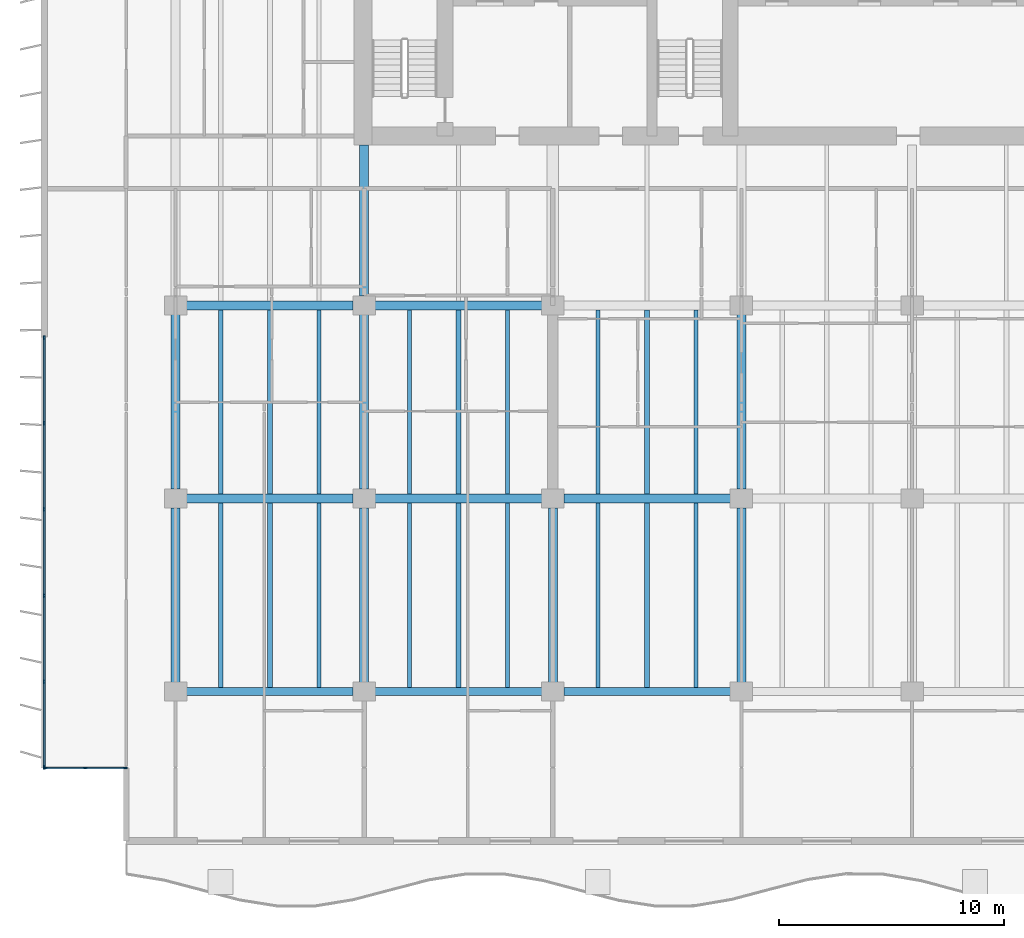
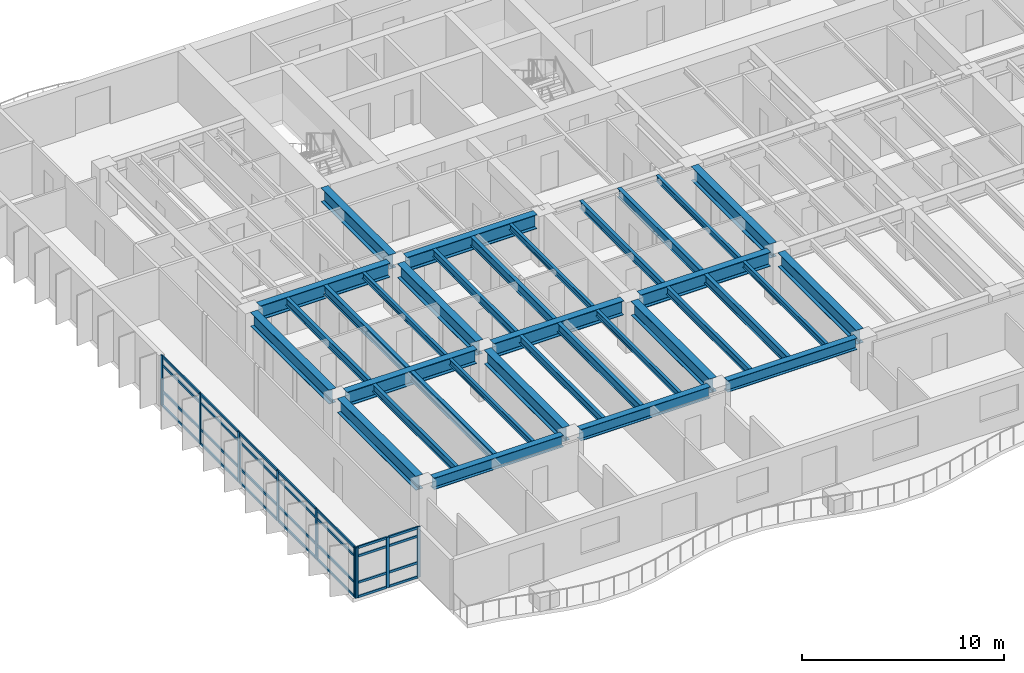
# One storey, part 2 of 17: 37 members, 34 beams, 2 elements without a shape of their own.
"""IFC4 building model written with IfcOpenShell, lengths in metres."""

import ifcopenshell
import ifcopenshell.guid

model = None  # the IFC model being written
_history = None  # IfcOwnerHistory: only IFC2X3 demands one
_inside = {}  # id of a spatial element -> (the spatial element, [elements in it])
_under = {}  # id of a project, library or spatial element -> (it, [spatial elements below it])
_declared = {}  # id of a project -> (the project, [libraries it declares])
_typed = {}  # id of a type object -> (the type object, [elements of that type])
_made_of = {}  # id of a material, layer set ... -> (it, [elements and type objects made of it])


def new_model(schema):
    """Start an empty IFC model of exactly this schema.

    Asked for "IFC4X3", IfcOpenShell would pick the latest addendum, in which some entities
    have other attributes; the version numbers below select the first issue.
    IFC2X3 requires an IfcOwnerHistory on every rooted entity: one is made here for all.
    """
    global model, _history
    if schema == "IFC4X3":
        model = ifcopenshell.file(schema_version=(4, 3, 0, 0))
    else:
        model = ifcopenshell.file(schema=schema)
    _inside.clear()
    _under.clear()
    _declared.clear()
    _typed.clear()
    _made_of.clear()
    _history = None
    if model.schema == "IFC2X3":
        org = make("IfcOrganization", Name="unknown")
        user = make(
            "IfcPersonAndOrganization",
            ThePerson=make("IfcPerson", FamilyName="unknown"),
            TheOrganization=org,
        )
        app = make(
            "IfcApplication",
            ApplicationDeveloper=org,
            Version="unknown",
            ApplicationFullName="unknown",
            ApplicationIdentifier="unknown",
        )
        _history = make(
            "IfcOwnerHistory",
            OwningUser=user,
            OwningApplication=app,
            ChangeAction="ADDED",
            CreationDate=0,
        )
    return model


def make(cls, **values):
    """One entity of the class cls with the attributes given. An attribute that is None is left unset."""
    return model.create_entity(
        cls, **{name: value for name, value in values.items() if value is not None}
    )


def rooted(cls, **values):
    """An entity with a GlobalId (a new one), such as an element, a storey or a relation."""
    return make(cls, GlobalId=ifcopenshell.guid.new(), OwnerHistory=_history, **values)


def si_unit(unit_type, name, prefix=None):
    """IfcSIUnit, for example si_unit("LENGTHUNIT", "METRE", prefix="MILLI")."""
    return make("IfcSIUnit", UnitType=unit_type, Prefix=prefix, Name=name)


def assignment(units):
    """IfcUnitAssignment: the units of a project."""
    return None if units is None else make("IfcUnitAssignment", Units=units)


def point(xyz):
    """IfcCartesianPoint."""
    return None if xyz is None else make("IfcCartesianPoint", Coordinates=xyz)


def direction(xyz):
    """IfcDirection."""
    return None if xyz is None else make("IfcDirection", DirectionRatios=xyz)


def frame(location, z_axis=None, x_axis=None):
    """IfcAxis2Placement3D, a coordinate frame: its origin and axes. An axis left out is left unset."""
    return make(
        "IfcAxis2Placement3D",
        Location=point(location),
        Axis=direction(z_axis),
        RefDirection=direction(x_axis),
    )


def frame_2d(location, x_axis=None):
    """IfcAxis2Placement2D, a coordinate frame in the plane: its origin and x axis."""
    return make(
        "IfcAxis2Placement2D", Location=point(location), RefDirection=direction(x_axis)
    )


def origin():
    """The frame at (0, 0, 0) with its axes left unset."""
    return frame((0.0, 0.0, 0.0))


def origin_2d():
    """The frame at (0, 0) in the plane with its x axis left unset."""
    return frame_2d((0.0, 0.0))


def place(relative_to, where):
    """IfcLocalPlacement: puts the frame where relative to a parent placement (None: the world)."""
    return make(
        "IfcLocalPlacement", PlacementRelTo=relative_to, RelativePlacement=where
    )


def context(
    kind, dimensions, precision=None, world=None, true_north=None, identifier=None
):
    """IfcGeometricRepresentationContext, for example the 3D "Model" context."""
    return make(
        "IfcGeometricRepresentationContext",
        ContextIdentifier=identifier,
        ContextType=kind,
        CoordinateSpaceDimension=dimensions,
        Precision=precision,
        WorldCoordinateSystem=world,
        TrueNorth=true_north,
    )


def subcontext(parent, identifier, kind, view, scale=None):
    """IfcGeometricRepresentationSubContext, for example "Body" below "Model"."""
    return make(
        "IfcGeometricRepresentationSubContext",
        ContextIdentifier=identifier,
        ContextType=kind,
        ParentContext=parent,
        TargetScale=scale,
        TargetView=view,
    )


def project(units=None, contexts=None):
    """IfcProject with its units and contexts."""
    return rooted(
        "IfcProject",
        Name="project",
        RepresentationContexts=contexts,
        UnitsInContext=assignment(units),
    )


def spatial(cls, under=None, at=None, **own):
    """A site, building, storey or space (cls), placed at a placement, below another one or the project."""
    s = rooted(cls, ObjectPlacement=at, **own)
    if under is not None:
        _under.setdefault(under.id(), (under, []))[1].append(s)
    return s


def profile(cls, at=None, kind="AREA", **sizes):
    """A parametric profile (cls). Its sizes go by their IFC names, for example OverallWidth=200.0."""
    return make(cls, ProfileType=kind, Position=at, **sizes)


def rectangle(**sizes):
    """IfcRectangleProfileDef."""
    return profile("IfcRectangleProfileDef", **sizes)


def i_section(**sizes):
    """IfcIShapeProfileDef."""
    return profile("IfcIShapeProfileDef", **sizes)


def extrude(swept, where, along, depth):
    """IfcExtrudedAreaSolid: the profile swept, set in the frame where, extruded along a direction by depth."""
    return make(
        "IfcExtrudedAreaSolid",
        SweptArea=swept,
        Position=where,
        ExtrudedDirection=direction(along),
        Depth=depth,
    )


def shape(context_of_items, identifier, shape_type, items):
    """IfcShapeRepresentation: the items that make up one representation, for example the "Body"."""
    return make(
        "IfcShapeRepresentation",
        ContextOfItems=context_of_items,
        RepresentationIdentifier=identifier,
        RepresentationType=shape_type,
        Items=items,
    )


def material(Name=None, Category=None):
    """IfcMaterial."""
    return make("IfcMaterial", Name=Name, Category=Category)


def layer(
    of_material, thickness, ventilated=None, Name=None, Category=None, Priority=None
):
    """IfcMaterialLayer: one layer of a wall or slab, of a material (None: an air gap)."""
    return make(
        "IfcMaterialLayer",
        Material=of_material,
        LayerThickness=thickness,
        IsVentilated=ventilated,
        Name=Name,
        Category=Category,
        Priority=Priority,
    )


def layer_set(layers, Name=None):
    """IfcMaterialLayerSet."""
    return make("IfcMaterialLayerSet", MaterialLayers=layers, LayerSetName=Name)


def material_profile(
    of_material, cross_section, Name=None, Category=None, Priority=None
):
    """IfcMaterialProfile: a cross section and its material."""
    return make(
        "IfcMaterialProfile",
        Name=Name,
        Material=of_material,
        Profile=cross_section,
        Priority=Priority,
        Category=Category,
    )


def profile_set(profiles, Name=None, composite=None):
    """IfcMaterialProfileSet."""
    return make(
        "IfcMaterialProfileSet",
        Name=Name,
        MaterialProfiles=profiles,
        CompositeProfile=composite,
    )


def made_of(thing, what):
    """Note that an element or type object is made of a material, layer set ...; save() writes the relation."""
    if what is not None:
        _made_of.setdefault(what.id(), (what, []))[1].append(thing)
    return thing


def type_object(cls, material=None, **own):
    """A type object (cls), such as IfcWallType, which elements share."""
    return made_of(rooted(cls, **own), material)


def element(
    cls,
    number,
    at=None,
    inside=None,
    cuts=None,
    type_object=None,
    material=None,
    context=None,
    identifier="Body",
    shape_type=None,
    held_by="IfcProductDefinitionShape",
    body=None,
    shapes=None,
    **own,
):
    """One element of the class cls, such as IfcWall. Its Tag is "e" and its number.

    at: its placement. inside: the storey or other place that contains it. cuts: it is an
    opening in that element (IfcRelVoidsElement). A single representation is given by context,
    identifier, shape_type and body (its items); several are given by shapes. held_by: the class
    of the entity that holds the representations. save() writes the other relations.
    """
    e = rooted(cls, Tag="e%d" % number, ObjectPlacement=at, **own)
    if body is not None:
        shapes = [shape(context, identifier, shape_type, body)]
    if shapes is not None:
        e.Representation = make(held_by, Representations=shapes)
    if inside is not None:
        _inside.setdefault(inside.id(), (inside, []))[1].append(e)
    if cuts is not None:
        rooted(
            "IfcRelVoidsElement", RelatingBuildingElement=cuts, RelatedOpeningElement=e
        )
    if type_object is not None:
        _typed.setdefault(type_object.id(), (type_object, []))[1].append(e)
    return made_of(e, material)


def aggregate(whole, parts):
    """IfcRelAggregates: a whole, such as a stair, and the parts it consists of."""
    return rooted("IfcRelAggregates", RelatingObject=whole, RelatedObjects=parts)


def save(model, path):
    """Write the relations noted so far, then the file.

    IfcRelAggregates (storeys below a building ...), IfcRelContainedInSpatialStructure (elements
    in a storey), IfcRelDefinesByType, IfcRelAssociatesMaterial and IfcRelDeclares: one each for
    every whole, place, type object, material and project.
    """
    for whole, parts in _under.values():
        aggregate(whole, parts)
    for where, things in _inside.values():
        rooted(
            "IfcRelContainedInSpatialStructure",
            RelatedElements=things,
            RelatingStructure=where,
        )
    for kind, things in _typed.values():
        rooted("IfcRelDefinesByType", RelatedObjects=things, RelatingType=kind)
    for what, things in _made_of.values():
        rooted("IfcRelAssociatesMaterial", RelatedObjects=things, RelatingMaterial=what)
    for by, libraries in _declared.values():
        rooted("IfcRelDeclares", RelatingContext=by, RelatedDefinitions=libraries)
    model.write(path)


model = new_model("IFC4")

# Units and contexts
model_context = context("Model", 3, precision=1e-05, world=origin(), true_north=direction((0.0, 1.0)))
body_context = subcontext(model_context, "Body", "Model", "MODEL_VIEW")
ifc_project = project(units=[si_unit("LENGTHUNIT", "METRE"), si_unit("AREAUNIT", "SQUARE_METRE"), si_unit("VOLUMEUNIT", "CUBIC_METRE"), si_unit("PLANEANGLEUNIT", "RADIAN"), si_unit("MASSUNIT", "GRAM", prefix="KILO")], contexts=[model_context])

# Site, building, storey
site_placement = place(None, origin())
site = spatial("IfcSite", under=ifc_project, at=site_placement, CompositionType="ELEMENT")
building_placement = place(site_placement, origin())
building = spatial("IfcBuilding", under=site, at=building_placement, Name="Caelmar Bay Residences", CompositionType="ELEMENT")
storey_placement = place(building_placement, frame((0.0, 0.0, 109.199951171875)))
storey = spatial("IfcBuildingStorey", under=building, at=storey_placement, Name="L29", CompositionType="ELEMENT", Elevation=109.199951171875)

# Beams
ifc_material_1 = material(Name="Steel ASTM A992 Grade 50", Category="steel")
ifc_material_profile_1 = material_profile(ifc_material_1, i_section(OverallWidth=0.40087890625, OverallDepth=0.861083984375, WebThickness=0.019775390625, FlangeThickness=0.032470703125, FilletRadius=0.017822265625, at=origin_2d()), Name="W33X221")
ifc_profile_set_1 = profile_set([ifc_material_profile_1], Name="Steel ASTM A992 Grade 50")
beam_type_1 = type_object("IfcBeamType", Name="BM-GRD-W33X221", PredefinedType="BEAM", material=ifc_profile_set_1)
beam_1_placement = place(storey_placement, frame((10.389892578125, 20.800048828125, 2.61962890625), z_axis=(1.0, 0.0, 0.0), x_axis=(0.0, 1.0, 0.0)))
element("IfcBeam", 1, at=beam_1_placement, inside=storey, type_object=beam_type_1, Name="L29 East-West Girder Y=20.80 (9.9-18.3)", PredefinedType="BEAM", context=body_context, shape_type="SweptSolid", body=[
    extrude(i_section(OverallWidth=0.40087890625, OverallDepth=0.861083984375, WebThickness=0.019775390625, FlangeThickness=0.032470703125, FilletRadius=0.017822265625, at=origin_2d()), origin(), (0.0, 0.0, 1.0), 7.420166015625),
])
beam_2_placement = place(storey_placement, frame((18.7900390625, 20.800048828125, 2.61962890625), z_axis=(1.0, 0.0, 0.0), x_axis=(0.0, 1.0, 0.0)))
element("IfcBeam", 2, at=beam_2_placement, inside=storey, type_object=beam_type_1, Name="L29 East-West Girder Y=20.80 (18.3-26.7)", PredefinedType="BEAM", context=body_context, shape_type="SweptSolid", body=[
    extrude(i_section(OverallWidth=0.40087890625, OverallDepth=0.861083984375, WebThickness=0.019775390625, FlangeThickness=0.032470703125, FilletRadius=0.017822265625, at=origin_2d()), origin(), (0.0, 0.0, 1.0), 7.419921875),
])
for number, where, z_axis, x_axis, name in (
    (3, (27.18994140625, 20.800048828125, 2.61962890625), (1.0, 0.0, 0.0), (0.0, 1.0, 0.0), "L29 East-West Girder Y=20.80 (26.7-35.1)"),
    (4, (10.389892578125, 29.39990234375, 2.61962890625), (1.0, 0.0, 0.0), (0.0, 1.0, 0.0), "L29 East-West Girder Y=29.40 (9.9-18.3)"),
):
    element("IfcBeam", number, at=place(storey_placement, frame(where, z_axis=z_axis, x_axis=x_axis)), inside=storey, type_object=beam_type_1, Name=name, PredefinedType="BEAM", context=body_context, shape_type="SweptSolid", body=[
        extrude(i_section(OverallWidth=0.40087890625, OverallDepth=0.861083984375, WebThickness=0.019775390625, FlangeThickness=0.032470703125, FilletRadius=0.017822265625, at=origin_2d()), origin(), (0.0, 0.0, 1.0), 7.420166015625),
    ])
beam_3_placement = place(storey_placement, frame((18.7900390625, 29.39990234375, 2.61962890625), z_axis=(1.0, 0.0, 0.0), x_axis=(0.0, 1.0, 0.0)))
element("IfcBeam", 5, at=beam_3_placement, inside=storey, type_object=beam_type_1, Name="L29 East-West Girder Y=29.40 (18.3-26.7)", PredefinedType="BEAM", context=body_context, shape_type="SweptSolid", body=[
    extrude(i_section(OverallWidth=0.40087890625, OverallDepth=0.861083984375, WebThickness=0.019775390625, FlangeThickness=0.032470703125, FilletRadius=0.017822265625, at=origin_2d()), origin(), (0.0, 0.0, 1.0), 7.419921875),
])
for number, where, z_axis, x_axis, name in (
    (6, (9.89990234375, 12.614990234375, 2.61962890625), (0.0, 1.0, 0.0), (-1.0, 0.0, 0.0), "L29 North-South Girder X=9.90 (12.2-20.8)"),
    (7, (9.89990234375, 21.215087890625, 2.61962890625), (0.0, 1.0, 0.0), (-1.0, 0.0, 0.0), "L29 North-South Girder X=9.90 (20.8-29.4)"),
):
    element("IfcBeam", number, at=place(storey_placement, frame(where, z_axis=z_axis, x_axis=x_axis)), inside=storey, type_object=beam_type_1, Name=name, PredefinedType="BEAM", context=body_context, shape_type="SweptSolid", body=[
        extrude(i_section(OverallWidth=0.40087890625, OverallDepth=0.861083984375, WebThickness=0.019775390625, FlangeThickness=0.032470703125, FilletRadius=0.017822265625, at=origin_2d()), origin(), (0.0, 0.0, 1.0), 7.77001953125),
    ])
beam_4_placement = place(storey_placement, frame((18.300048828125, 29.81494140625, 2.61962890625), z_axis=(0.0, 1.0, 0.0), x_axis=(-1.0, 0.0, 0.0)))
element("IfcBeam", 8, at=beam_4_placement, inside=storey, type_object=beam_type_1, Name="L29 Core Tie Girder X=18.30", PredefinedType="BEAM", context=body_context, shape_type="SweptSolid", body=[
    extrude(i_section(OverallWidth=0.40087890625, OverallDepth=0.861083984375, WebThickness=0.019775390625, FlangeThickness=0.032470703125, FilletRadius=0.017822265625, at=origin_2d()), origin(), (0.0, 0.0, 1.0), 6.735107421875),
])
for number, where, z_axis, x_axis, name in (
    (9, (18.300048828125, 12.614990234375, 2.61962890625), (0.0, 1.0, 0.0), (-1.0, 0.0, 0.0), "L29 North-South Girder X=18.30 (12.2-20.8)"),
    (10, (18.300048828125, 21.215087890625, 2.61962890625), (0.0, 1.0, 0.0), (-1.0, 0.0, 0.0), "L29 North-South Girder X=18.30 (20.8-29.4)"),
    (11, (26.699951171875, 12.614990234375, 2.61962890625), (0.0, 1.0, 0.0), (-1.0, 0.0, 0.0), "L29 North-South Girder X=26.70 (12.2-20.8)"),
    (12, (35.10009765625, 12.614990234375, 2.61962890625), (0.0, 1.0, 0.0), (-1.0, 0.0, 0.0), "L29 North-South Girder X=35.10 (12.2-20.8)"),
    (13, (35.10009765625, 21.215087890625, 2.61962890625), (0.0, 1.0, 0.0), (-1.0, 0.0, 0.0), "L29 North-South Girder X=35.10 (20.8-29.4)"),
):
    element("IfcBeam", number, at=place(storey_placement, frame(where, z_axis=z_axis, x_axis=x_axis)), inside=storey, type_object=beam_type_1, Name=name, PredefinedType="BEAM", context=body_context, shape_type="SweptSolid", body=[
        extrude(i_section(OverallWidth=0.40087890625, OverallDepth=0.861083984375, WebThickness=0.019775390625, FlangeThickness=0.032470703125, FilletRadius=0.017822265625, at=origin_2d()), origin(), (0.0, 0.0, 1.0), 7.77001953125),
    ])
ifc_material_profile_2 = material_profile(ifc_material_1, i_section(OverallWidth=0.1708984375, OverallDepth=0.35595703125, WebThickness=0.007080078125, FlangeThickness=0.01171875, FilletRadius=0.007568359375, at=origin_2d()), Name="W14X34")
ifc_profile_set_2 = profile_set([ifc_material_profile_2], Name="Steel ASTM A992 Grade 50")
beam_type_2 = type_object("IfcBeamType", Name="BM-JST-W14X34", PredefinedType="JOIST", material=ifc_profile_set_2)
for number, where, z_axis, x_axis, name in (
    (14, (16.283935546875, 12.3779296875, 2.8720703125), (0.0, 1.0, 0.0), (-1.0, 0.0, 0.0), "L29 Composite Floor Joist 3"),
    (15, (24.68408203125, 12.3779296875, 2.8720703125), (0.0, 1.0, 0.0), (-1.0, 0.0, 0.0), "L29 Composite Floor Joist 6"),
    (16, (33.083984375, 12.3779296875, 2.8720703125), (0.0, 1.0, 0.0), (-1.0, 0.0, 0.0), "L29 Composite Floor Joist 9"),
):
    element("IfcBeam", number, at=place(storey_placement, frame(where, z_axis=z_axis, x_axis=x_axis)), inside=storey, type_object=beam_type_2, Name=name, PredefinedType="JOIST", context=body_context, shape_type="SweptSolid", body=[
        extrude(i_section(OverallWidth=0.1708984375, OverallDepth=0.35595703125, WebThickness=0.007080078125, FlangeThickness=0.01171875, FilletRadius=0.007568359375, at=origin_2d()), origin(), (0.0, 0.0, 1.0), 8.2216796875),
    ])
for number, where, z_axis, x_axis, name in (
    (17, (16.283935546875, 21.00048828125, 2.8720703125), (0.0, 1.0, 0.0), (-1.0, 0.0, 0.0), "L29 Composite Floor Joist 24"),
    (18, (24.68408203125, 21.00048828125, 2.8720703125), (0.0, 1.0, 0.0), (-1.0, 0.0, 0.0), "L29 Composite Floor Joist 27"),
    (19, (33.083984375, 21.00048828125, 2.8720703125), (0.0, 1.0, 0.0), (-1.0, 0.0, 0.0), "L29 Composite Floor Joist 30"),
):
    element("IfcBeam", number, at=place(storey_placement, frame(where, z_axis=z_axis, x_axis=x_axis)), inside=storey, type_object=beam_type_2, Name=name, PredefinedType="JOIST", context=body_context, shape_type="SweptSolid", body=[
        extrude(i_section(OverallWidth=0.1708984375, OverallDepth=0.35595703125, WebThickness=0.007080078125, FlangeThickness=0.01171875, FilletRadius=0.007568359375, at=origin_2d()), origin(), (0.0, 0.0, 1.0), 8.198974609375),
    ])
ifc_material_profile_3 = material_profile(ifc_material_1, i_section(OverallWidth=0.19091796875, OverallDepth=0.45703125, WebThickness=0.009033203125, FlangeThickness=0.014404296875, FilletRadius=0.01025390625, at=origin_2d()), Name="W18X50")
ifc_profile_set_3 = profile_set([ifc_material_profile_3], Name="Steel ASTM A992 Grade 50")
beam_type_3 = type_object("IfcBeamType", Name="BM-JST-W18X50", PredefinedType="JOIST", material=ifc_profile_set_3)
for number, where, z_axis, x_axis, name in (
    (20, (11.916015625, 12.3779296875, 2.821533203125), (0.0, 1.0, 0.0), (-1.0, 0.0, 0.0), "L29 Composite Floor Joist 1"),
    (21, (20.31591796875, 12.3779296875, 2.821533203125), (0.0, 1.0, 0.0), (-1.0, 0.0, 0.0), "L29 Composite Floor Joist 4"),
    (22, (28.716064453125, 12.3779296875, 2.821533203125), (0.0, 1.0, 0.0), (-1.0, 0.0, 0.0), "L29 Composite Floor Joist 7"),
):
    element("IfcBeam", number, at=place(storey_placement, frame(where, z_axis=z_axis, x_axis=x_axis)), inside=storey, type_object=beam_type_3, Name=name, PredefinedType="JOIST", context=body_context, shape_type="SweptSolid", body=[
        extrude(i_section(OverallWidth=0.19091796875, OverallDepth=0.45703125, WebThickness=0.009033203125, FlangeThickness=0.014404296875, FilletRadius=0.01025390625, at=origin_2d()), origin(), (0.0, 0.0, 1.0), 8.2216796875),
    ])
for number, where, z_axis, x_axis, name in (
    (23, (11.916015625, 21.00048828125, 2.821533203125), (0.0, 1.0, 0.0), (-1.0, 0.0, 0.0), "L29 Composite Floor Joist 22"),
    (24, (20.31591796875, 21.00048828125, 2.821533203125), (0.0, 1.0, 0.0), (-1.0, 0.0, 0.0), "L29 Composite Floor Joist 25"),
    (25, (28.716064453125, 21.00048828125, 2.821533203125), (0.0, 1.0, 0.0), (-1.0, 0.0, 0.0), "L29 Composite Floor Joist 28"),
):
    element("IfcBeam", number, at=place(storey_placement, frame(where, z_axis=z_axis, x_axis=x_axis)), inside=storey, type_object=beam_type_3, Name=name, PredefinedType="JOIST", context=body_context, shape_type="SweptSolid", body=[
        extrude(i_section(OverallWidth=0.19091796875, OverallDepth=0.45703125, WebThickness=0.009033203125, FlangeThickness=0.014404296875, FilletRadius=0.01025390625, at=origin_2d()), origin(), (0.0, 0.0, 1.0), 8.198974609375),
    ])
ifc_material_profile_4 = material_profile(ifc_material_1, i_section(OverallWidth=0.214111328125, OverallDepth=0.549072265625, WebThickness=0.0146484375, FlangeThickness=0.023681640625, FilletRadius=0.0126953125, at=origin_2d()), Name="W21X93")
ifc_profile_set_4 = profile_set([ifc_material_profile_4], Name="Steel ASTM A992 Grade 50")
beam_type_4 = type_object("IfcBeamType", Name="BM-JST-W21X93", PredefinedType="JOIST", material=ifc_profile_set_4)
for number, where, z_axis, x_axis, name in (
    (26, (14.10009765625, 12.3779296875, 2.775634765625), (0.0, 1.0, 0.0), (-1.0, 0.0, 0.0), "L29 Composite Floor Joist 2"),
    (27, (22.5, 12.3779296875, 2.775634765625), (0.0, 1.0, 0.0), (-1.0, 0.0, 0.0), "L29 Composite Floor Joist 5"),
    (28, (30.89990234375, 12.3779296875, 2.775634765625), (0.0, 1.0, 0.0), (-1.0, 0.0, 0.0), "L29 Composite Floor Joist 8"),
):
    element("IfcBeam", number, at=place(storey_placement, frame(where, z_axis=z_axis, x_axis=x_axis)), inside=storey, type_object=beam_type_4, Name=name, PredefinedType="JOIST", context=body_context, shape_type="SweptSolid", body=[
        extrude(i_section(OverallWidth=0.214111328125, OverallDepth=0.549072265625, WebThickness=0.0146484375, FlangeThickness=0.023681640625, FilletRadius=0.0126953125, at=origin_2d()), origin(), (0.0, 0.0, 1.0), 8.2216796875),
    ])
for number, where, z_axis, x_axis, name in (
    (29, (14.10009765625, 21.00048828125, 2.775634765625), (0.0, 1.0, 0.0), (-1.0, 0.0, 0.0), "L29 Composite Floor Joist 23"),
    (30, (22.5, 21.00048828125, 2.775634765625), (0.0, 1.0, 0.0), (-1.0, 0.0, 0.0), "L29 Composite Floor Joist 26"),
    (31, (30.89990234375, 21.00048828125, 2.775634765625), (0.0, 1.0, 0.0), (-1.0, 0.0, 0.0), "L29 Composite Floor Joist 29"),
):
    element("IfcBeam", number, at=place(storey_placement, frame(where, z_axis=z_axis, x_axis=x_axis)), inside=storey, type_object=beam_type_4, Name=name, PredefinedType="JOIST", context=body_context, shape_type="SweptSolid", body=[
        extrude(i_section(OverallWidth=0.214111328125, OverallDepth=0.549072265625, WebThickness=0.0146484375, FlangeThickness=0.023681640625, FilletRadius=0.0126953125, at=origin_2d()), origin(), (0.0, 0.0, 1.0), 8.198974609375),
    ])
ifc_material_profile_5 = material_profile(ifc_material_1, i_section(OverallWidth=0.35595703125, OverallDepth=0.696044921875, WebThickness=0.015380859375, FlangeThickness=0.02490234375, FilletRadius=0.01513671875, at=origin_2d()), Name="W27X146")
ifc_profile_set_5 = profile_set([ifc_material_profile_5], Name="Steel ASTM A992 Grade 50")
beam_type_5 = type_object("IfcBeamType", Name="BM-SPN-W27X146", PredefinedType="SPANDREL", material=ifc_profile_set_5)
beam_5_placement = place(storey_placement, frame((10.389892578125, 12.199951171875, 2.7021484375), z_axis=(1.0, 0.0, 0.0), x_axis=(0.0, 1.0, 0.0)))
element("IfcBeam", 32, at=beam_5_placement, inside=storey, type_object=beam_type_5, Name="L29 East-West Girder Y=12.20 (9.9-18.3)", PredefinedType="SPANDREL", context=body_context, shape_type="SweptSolid", body=[
    extrude(i_section(OverallWidth=0.35595703125, OverallDepth=0.696044921875, WebThickness=0.015380859375, FlangeThickness=0.02490234375, FilletRadius=0.01513671875, at=origin_2d()), origin(), (0.0, 0.0, 1.0), 7.420166015625),
])
beam_6_placement = place(storey_placement, frame((18.7900390625, 12.199951171875, 2.7021484375), z_axis=(1.0, 0.0, 0.0), x_axis=(0.0, 1.0, 0.0)))
element("IfcBeam", 33, at=beam_6_placement, inside=storey, type_object=beam_type_5, Name="L29 East-West Girder Y=12.20 (18.3-26.7)", PredefinedType="SPANDREL", context=body_context, shape_type="SweptSolid", body=[
    extrude(i_section(OverallWidth=0.35595703125, OverallDepth=0.696044921875, WebThickness=0.015380859375, FlangeThickness=0.02490234375, FilletRadius=0.01513671875, at=origin_2d()), origin(), (0.0, 0.0, 1.0), 7.419921875),
])
beam_7_placement = place(storey_placement, frame((27.18994140625, 12.199951171875, 2.7021484375), z_axis=(1.0, 0.0, 0.0), x_axis=(0.0, 1.0, 0.0)))
element("IfcBeam", 34, at=beam_7_placement, inside=storey, type_object=beam_type_5, Name="L29 East-West Girder Y=12.20 (26.7-35.1)", PredefinedType="SPANDREL", context=body_context, shape_type="SweptSolid", body=[
    extrude(i_section(OverallWidth=0.35595703125, OverallDepth=0.696044921875, WebThickness=0.015380859375, FlangeThickness=0.02490234375, FilletRadius=0.01513671875, at=origin_2d()), origin(), (0.0, 0.0, 1.0), 7.420166015625),
])

# Curtain wall, members
ifc_material_2 = material(Name="Anodised bronze aluminium 6063-T6 and laminated glass", Category="aluminium")
ifc_layer_1 = layer(ifc_material_2, 0.179931640625)
ifc_layer_set_1 = layer_set([ifc_layer_1], Name="Anodised bronze aluminium 6063-T6 and laminated glass")
curtain_wall_type_1 = type_object("IfcCurtainWallType", Name="CW6-NTC", PredefinedType="NOTDEFINED", material=ifc_layer_set_1)
curtain_wall_1_placement = place(storey_placement, origin())
curtain_wall_1 = element("IfcCurtainWall", 35, at=curtain_wall_1_placement, inside=storey, type_object=curtain_wall_type_1, Name="CW6 curtain wall L29", PredefinedType="NOTDEFINED")
ifc_material_3 = material(Name="Anodised bronze aluminium 6063-T6", Category="aluminium")
ifc_material_profile_6 = material_profile(ifc_material_3, rectangle(XDim=0.080078125, YDim=0.179931640625, at=origin_2d()), Name="CWM-80X180")
ifc_profile_set_6 = profile_set([ifc_material_profile_6], Name="Anodised bronze aluminium 6063-T6")
member_type_1 = type_object("IfcMemberType", Name="CWM-180", PredefinedType="MULLION", material=ifc_profile_set_6)
member_1_placement = place(storey_placement, frame((4.090087890625, 8.800048828125, 0.0), z_axis=(0.0, 0.0, 1.0), x_axis=(0.0, 1.0, 0.0)))
member_1 = element("IfcMember", 36, at=member_1_placement, type_object=member_type_1, Name="CW6 mullion 1", PredefinedType="MULLION", context=body_context, shape_type="SweptSolid", body=[
    extrude(rectangle(XDim=0.080078125, YDim=0.179931640625, at=origin_2d()), origin(), (0.0, 0.0, 1.0), 3.050048828125),
])
member_2_placement = place(storey_placement, frame((5.875, 8.800048828125, 0.0), z_axis=(0.0, 0.0, 1.0), x_axis=(0.0, 1.0, 0.0)))
member_2 = element("IfcMember", 37, at=member_2_placement, type_object=member_type_1, Name="CW6 mullion 2", PredefinedType="MULLION", context=body_context, shape_type="SweptSolid", body=[
    extrude(rectangle(XDim=0.080078125, YDim=0.179931640625, at=origin_2d()), origin(), (0.0, 0.0, 1.0), 3.050048828125),
])
member_3_placement = place(storey_placement, frame((7.659912109375, 8.800048828125, 0.0), z_axis=(0.0, 0.0, 1.0), x_axis=(0.0, 1.0, 0.0)))
member_3 = element("IfcMember", 38, at=member_3_placement, type_object=member_type_1, Name="CW6 mullion 3", PredefinedType="MULLION", context=body_context, shape_type="SweptSolid", body=[
    extrude(rectangle(XDim=0.080078125, YDim=0.179931640625, at=origin_2d()), origin(), (0.0, 0.0, 1.0), 3.050048828125),
])

ifc_layer_2 = layer(ifc_material_2, 0.179931640625)
ifc_layer_set_2 = layer_set([ifc_layer_2], Name="Anodised bronze aluminium 6063-T6 and laminated glass")
curtain_wall_type_2 = type_object("IfcCurtainWallType", Name="CW3-Z2", PredefinedType="NOTDEFINED", material=ifc_layer_set_2)
curtain_wall_2_placement = place(storey_placement, origin())
curtain_wall_2 = element("IfcCurtainWall", 39, at=curtain_wall_2_placement, inside=storey, type_object=curtain_wall_type_2, Name="CW3 curtain wall L29", PredefinedType="NOTDEFINED")
member_4_placement = place(storey_placement, frame((4.050048828125, 8.840087890625, 0.0), z_axis=(0.0, 0.0, 1.0), x_axis=(-1.0, 0.0, 0.0)))
member_4 = element("IfcMember", 40, at=member_4_placement, type_object=member_type_1, Name="CW3 mullion 1", PredefinedType="MULLION", context=body_context, shape_type="SweptSolid", body=[
    extrude(rectangle(XDim=0.080078125, YDim=0.179931640625, at=origin_2d()), origin(), (0.0, 0.0, 1.0), 3.050048828125),
])
member_5_placement = place(storey_placement, frame((4.050048828125, 12.639892578125, 0.0), z_axis=(0.0, 0.0, 1.0), x_axis=(-1.0, 0.0, 0.0)))
member_5 = element("IfcMember", 41, at=member_5_placement, type_object=member_type_1, Name="CW3 mullion 2", PredefinedType="MULLION", context=body_context, shape_type="SweptSolid", body=[
    extrude(rectangle(XDim=0.080078125, YDim=0.179931640625, at=origin_2d()), origin(), (0.0, 0.0, 1.0), 3.050048828125),
])
member_6_placement = place(storey_placement, frame((4.050048828125, 16.47998046875, 0.0), z_axis=(0.0, 0.0, 1.0), x_axis=(-1.0, 0.0, 0.0)))
member_6 = element("IfcMember", 42, at=member_6_placement, type_object=member_type_1, Name="CW3 mullion 3", PredefinedType="MULLION", context=body_context, shape_type="SweptSolid", body=[
    extrude(rectangle(XDim=0.080078125, YDim=0.179931640625, at=origin_2d()), origin(), (0.0, 0.0, 1.0), 3.050048828125),
])
member_7_placement = place(storey_placement, frame((4.050048828125, 20.320068359375, 0.0), z_axis=(0.0, 0.0, 1.0), x_axis=(-1.0, 0.0, 0.0)))
member_7 = element("IfcMember", 43, at=member_7_placement, type_object=member_type_1, Name="CW3 mullion 4", PredefinedType="MULLION", context=body_context, shape_type="SweptSolid", body=[
    extrude(rectangle(XDim=0.080078125, YDim=0.179931640625, at=origin_2d()), origin(), (0.0, 0.0, 1.0), 3.050048828125),
])
member_8_placement = place(storey_placement, frame((4.050048828125, 24.159912109375, 0.0), z_axis=(0.0, 0.0, 1.0), x_axis=(-1.0, 0.0, 0.0)))
member_8 = element("IfcMember", 44, at=member_8_placement, type_object=member_type_1, Name="CW3 mullion 5", PredefinedType="MULLION", context=body_context, shape_type="SweptSolid", body=[
    extrude(rectangle(XDim=0.080078125, YDim=0.179931640625, at=origin_2d()), origin(), (0.0, 0.0, 1.0), 3.050048828125),
])
member_9_placement = place(storey_placement, frame((4.050048828125, 27.9599609375, 0.0), z_axis=(0.0, 0.0, 1.0), x_axis=(-1.0, 0.0, 0.0)))
member_9 = element("IfcMember", 45, at=member_9_placement, type_object=member_type_1, Name="CW3 mullion 6", PredefinedType="MULLION", context=body_context, shape_type="SweptSolid", body=[
    extrude(rectangle(XDim=0.080078125, YDim=0.179931640625, at=origin_2d()), origin(), (0.0, 0.0, 1.0), 3.050048828125),
])

# Member
ifc_material_profile_7 = material_profile(ifc_material_3, rectangle(XDim=0.080078125, YDim=0.139892578125, at=origin_2d()), Name="CWT-80X140")
ifc_profile_set_7 = profile_set([ifc_material_profile_7], Name="Anodised bronze aluminium 6063-T6")
member_type_2 = type_object("IfcMemberType", Name="CWT-140", PredefinedType="NOTDEFINED", material=ifc_profile_set_7)
member_10_placement = place(storey_placement, frame((4.1298828125, 8.800048828125, 0.0400390625), z_axis=(1.0, 0.0, 0.0), x_axis=(0.0, 1.0, 0.0)))
member_10 = element("IfcMember", 46, at=member_10_placement, type_object=member_type_2, Name="CW6 transom 1.1", ObjectType="TRANSOM", PredefinedType="USERDEFINED", context=body_context, shape_type="SweptSolid", body=[
    extrude(rectangle(XDim=0.080078125, YDim=0.139892578125, at=origin_2d()), origin(), (0.0, 0.0, 1.0), 1.705078125),
])

member_11_placement = place(storey_placement, frame((4.1298828125, 8.800048828125, 0.900146484375), z_axis=(1.0, 0.0, 0.0), x_axis=(0.0, 1.0, 0.0)))
member_11 = element("IfcMember", 47, at=member_11_placement, type_object=member_type_2, Name="CW6 transom 1.2", ObjectType="TRANSOM", PredefinedType="USERDEFINED", context=body_context, shape_type="SweptSolid", body=[
    extrude(rectangle(XDim=0.080078125, YDim=0.139892578125, at=origin_2d()), origin(), (0.0, 0.0, 1.0), 1.705078125),
])

member_12_placement = place(storey_placement, frame((4.1298828125, 8.800048828125, 2.5), z_axis=(1.0, 0.0, 0.0), x_axis=(0.0, 1.0, 0.0)))
member_12 = element("IfcMember", 48, at=member_12_placement, type_object=member_type_2, Name="CW6 transom 1.3", ObjectType="TRANSOM", PredefinedType="USERDEFINED", context=body_context, shape_type="SweptSolid", body=[
    extrude(rectangle(XDim=0.080078125, YDim=0.139892578125, at=origin_2d()), origin(), (0.0, 0.0, 1.0), 1.705078125),
])

member_13_placement = place(storey_placement, frame((4.1298828125, 8.800048828125, 3.010009765625), z_axis=(1.0, 0.0, 0.0), x_axis=(0.0, 1.0, 0.0)))
member_13 = element("IfcMember", 49, at=member_13_placement, type_object=member_type_2, Name="CW6 transom 1.4", ObjectType="TRANSOM", PredefinedType="USERDEFINED", context=body_context, shape_type="SweptSolid", body=[
    extrude(rectangle(XDim=0.080078125, YDim=0.139892578125, at=origin_2d()), origin(), (0.0, 0.0, 1.0), 1.705078125),
])

member_14_placement = place(storey_placement, frame((5.9150390625, 8.800048828125, 0.0400390625), z_axis=(1.0, 0.0, 0.0), x_axis=(0.0, 1.0, 0.0)))
member_14 = element("IfcMember", 50, at=member_14_placement, type_object=member_type_2, Name="CW6 transom 2.1", ObjectType="TRANSOM", PredefinedType="USERDEFINED", context=body_context, shape_type="SweptSolid", body=[
    extrude(rectangle(XDim=0.080078125, YDim=0.139892578125, at=origin_2d()), origin(), (0.0, 0.0, 1.0), 1.705078125),
])

member_15_placement = place(storey_placement, frame((5.9150390625, 8.800048828125, 0.900146484375), z_axis=(1.0, 0.0, 0.0), x_axis=(0.0, 1.0, 0.0)))
member_15 = element("IfcMember", 51, at=member_15_placement, type_object=member_type_2, Name="CW6 transom 2.2", ObjectType="TRANSOM", PredefinedType="USERDEFINED", context=body_context, shape_type="SweptSolid", body=[
    extrude(rectangle(XDim=0.080078125, YDim=0.139892578125, at=origin_2d()), origin(), (0.0, 0.0, 1.0), 1.705078125),
])

member_16_placement = place(storey_placement, frame((5.9150390625, 8.800048828125, 2.5), z_axis=(1.0, 0.0, 0.0), x_axis=(0.0, 1.0, 0.0)))
member_16 = element("IfcMember", 52, at=member_16_placement, type_object=member_type_2, Name="CW6 transom 2.3", ObjectType="TRANSOM", PredefinedType="USERDEFINED", context=body_context, shape_type="SweptSolid", body=[
    extrude(rectangle(XDim=0.080078125, YDim=0.139892578125, at=origin_2d()), origin(), (0.0, 0.0, 1.0), 1.705078125),
])

member_17_placement = place(storey_placement, frame((5.9150390625, 8.800048828125, 3.010009765625), z_axis=(1.0, 0.0, 0.0), x_axis=(0.0, 1.0, 0.0)))
member_17 = element("IfcMember", 53, at=member_17_placement, type_object=member_type_2, Name="CW6 transom 2.4", ObjectType="TRANSOM", PredefinedType="USERDEFINED", context=body_context, shape_type="SweptSolid", body=[
    extrude(rectangle(XDim=0.080078125, YDim=0.139892578125, at=origin_2d()), origin(), (0.0, 0.0, 1.0), 1.705078125),
])

aggregate(curtain_wall_1, [member_1, member_2, member_3, member_10, member_11, member_12, member_13, member_14, member_15, member_16, member_17])

member_18_placement = place(storey_placement, frame((4.050048828125, 8.8798828125, 0.0400390625), z_axis=(0.0, 1.0, 0.0), x_axis=(-1.0, 0.0, 0.0)))
member_18 = element("IfcMember", 54, at=member_18_placement, type_object=member_type_2, Name="CW3 transom 1.1", ObjectType="TRANSOM", PredefinedType="USERDEFINED", context=body_context, shape_type="SweptSolid", body=[
    extrude(rectangle(XDim=0.080078125, YDim=0.139892578125, at=origin_2d()), origin(), (0.0, 0.0, 1.0), 3.72021484375),
])

member_19_placement = place(storey_placement, frame((4.050048828125, 8.8798828125, 0.900146484375), z_axis=(0.0, 1.0, 0.0), x_axis=(-1.0, 0.0, 0.0)))
member_19 = element("IfcMember", 55, at=member_19_placement, type_object=member_type_2, Name="CW3 transom 1.2", ObjectType="TRANSOM", PredefinedType="USERDEFINED", context=body_context, shape_type="SweptSolid", body=[
    extrude(rectangle(XDim=0.080078125, YDim=0.139892578125, at=origin_2d()), origin(), (0.0, 0.0, 1.0), 3.72021484375),
])

member_20_placement = place(storey_placement, frame((4.050048828125, 8.8798828125, 2.5), z_axis=(0.0, 1.0, 0.0), x_axis=(-1.0, 0.0, 0.0)))
member_20 = element("IfcMember", 56, at=member_20_placement, type_object=member_type_2, Name="CW3 transom 1.3", ObjectType="TRANSOM", PredefinedType="USERDEFINED", context=body_context, shape_type="SweptSolid", body=[
    extrude(rectangle(XDim=0.080078125, YDim=0.139892578125, at=origin_2d()), origin(), (0.0, 0.0, 1.0), 3.72021484375),
])

member_21_placement = place(storey_placement, frame((4.050048828125, 8.8798828125, 3.010009765625), z_axis=(0.0, 1.0, 0.0), x_axis=(-1.0, 0.0, 0.0)))
member_21 = element("IfcMember", 57, at=member_21_placement, type_object=member_type_2, Name="CW3 transom 1.4", ObjectType="TRANSOM", PredefinedType="USERDEFINED", context=body_context, shape_type="SweptSolid", body=[
    extrude(rectangle(XDim=0.080078125, YDim=0.139892578125, at=origin_2d()), origin(), (0.0, 0.0, 1.0), 3.72021484375),
])

member_22_placement = place(storey_placement, frame((4.050048828125, 12.679931640625, 0.0400390625), z_axis=(0.0, 1.0, 0.0), x_axis=(-1.0, 0.0, 0.0)))
member_22 = element("IfcMember", 58, at=member_22_placement, type_object=member_type_2, Name="CW3 transom 2.1", ObjectType="TRANSOM", PredefinedType="USERDEFINED", context=body_context, shape_type="SweptSolid", body=[
    extrude(rectangle(XDim=0.080078125, YDim=0.139892578125, at=origin_2d()), origin(), (0.0, 0.0, 1.0), 3.760009765625),
])

member_23_placement = place(storey_placement, frame((4.050048828125, 12.679931640625, 0.900146484375), z_axis=(0.0, 1.0, 0.0), x_axis=(-1.0, 0.0, 0.0)))
member_23 = element("IfcMember", 59, at=member_23_placement, type_object=member_type_2, Name="CW3 transom 2.2", ObjectType="TRANSOM", PredefinedType="USERDEFINED", context=body_context, shape_type="SweptSolid", body=[
    extrude(rectangle(XDim=0.080078125, YDim=0.139892578125, at=origin_2d()), origin(), (0.0, 0.0, 1.0), 3.760009765625),
])

member_24_placement = place(storey_placement, frame((4.050048828125, 12.679931640625, 2.5), z_axis=(0.0, 1.0, 0.0), x_axis=(-1.0, 0.0, 0.0)))
member_24 = element("IfcMember", 60, at=member_24_placement, type_object=member_type_2, Name="CW3 transom 2.3", ObjectType="TRANSOM", PredefinedType="USERDEFINED", context=body_context, shape_type="SweptSolid", body=[
    extrude(rectangle(XDim=0.080078125, YDim=0.139892578125, at=origin_2d()), origin(), (0.0, 0.0, 1.0), 3.760009765625),
])

member_25_placement = place(storey_placement, frame((4.050048828125, 12.679931640625, 3.010009765625), z_axis=(0.0, 1.0, 0.0), x_axis=(-1.0, 0.0, 0.0)))
member_25 = element("IfcMember", 61, at=member_25_placement, type_object=member_type_2, Name="CW3 transom 2.4", ObjectType="TRANSOM", PredefinedType="USERDEFINED", context=body_context, shape_type="SweptSolid", body=[
    extrude(rectangle(XDim=0.080078125, YDim=0.139892578125, at=origin_2d()), origin(), (0.0, 0.0, 1.0), 3.760009765625),
])

member_26_placement = place(storey_placement, frame((4.050048828125, 16.52001953125, 0.0400390625), z_axis=(0.0, 1.0, 0.0), x_axis=(-1.0, 0.0, 0.0)))
member_26 = element("IfcMember", 62, at=member_26_placement, type_object=member_type_2, Name="CW3 transom 3.1", ObjectType="TRANSOM", PredefinedType="USERDEFINED", context=body_context, shape_type="SweptSolid", body=[
    extrude(rectangle(XDim=0.080078125, YDim=0.139892578125, at=origin_2d()), origin(), (0.0, 0.0, 1.0), 3.760009765625),
])

member_27_placement = place(storey_placement, frame((4.050048828125, 16.52001953125, 0.900146484375), z_axis=(0.0, 1.0, 0.0), x_axis=(-1.0, 0.0, 0.0)))
member_27 = element("IfcMember", 63, at=member_27_placement, type_object=member_type_2, Name="CW3 transom 3.2", ObjectType="TRANSOM", PredefinedType="USERDEFINED", context=body_context, shape_type="SweptSolid", body=[
    extrude(rectangle(XDim=0.080078125, YDim=0.139892578125, at=origin_2d()), origin(), (0.0, 0.0, 1.0), 3.760009765625),
])

member_28_placement = place(storey_placement, frame((4.050048828125, 16.52001953125, 2.5), z_axis=(0.0, 1.0, 0.0), x_axis=(-1.0, 0.0, 0.0)))
member_28 = element("IfcMember", 64, at=member_28_placement, type_object=member_type_2, Name="CW3 transom 3.3", ObjectType="TRANSOM", PredefinedType="USERDEFINED", context=body_context, shape_type="SweptSolid", body=[
    extrude(rectangle(XDim=0.080078125, YDim=0.139892578125, at=origin_2d()), origin(), (0.0, 0.0, 1.0), 3.760009765625),
])

member_29_placement = place(storey_placement, frame((4.050048828125, 16.52001953125, 3.010009765625), z_axis=(0.0, 1.0, 0.0), x_axis=(-1.0, 0.0, 0.0)))
member_29 = element("IfcMember", 65, at=member_29_placement, type_object=member_type_2, Name="CW3 transom 3.4", ObjectType="TRANSOM", PredefinedType="USERDEFINED", context=body_context, shape_type="SweptSolid", body=[
    extrude(rectangle(XDim=0.080078125, YDim=0.139892578125, at=origin_2d()), origin(), (0.0, 0.0, 1.0), 3.760009765625),
])

member_30_placement = place(storey_placement, frame((4.050048828125, 20.360107421875, 0.0400390625), z_axis=(0.0, 1.0, 0.0), x_axis=(-1.0, 0.0, 0.0)))
member_30 = element("IfcMember", 66, at=member_30_placement, type_object=member_type_2, Name="CW3 transom 4.1", ObjectType="TRANSOM", PredefinedType="USERDEFINED", context=body_context, shape_type="SweptSolid", body=[
    extrude(rectangle(XDim=0.080078125, YDim=0.139892578125, at=origin_2d()), origin(), (0.0, 0.0, 1.0), 3.760009765625),
])

member_31_placement = place(storey_placement, frame((4.050048828125, 20.360107421875, 0.900146484375), z_axis=(0.0, 1.0, 0.0), x_axis=(-1.0, 0.0, 0.0)))
member_31 = element("IfcMember", 67, at=member_31_placement, type_object=member_type_2, Name="CW3 transom 4.2", ObjectType="TRANSOM", PredefinedType="USERDEFINED", context=body_context, shape_type="SweptSolid", body=[
    extrude(rectangle(XDim=0.080078125, YDim=0.139892578125, at=origin_2d()), origin(), (0.0, 0.0, 1.0), 3.760009765625),
])

member_32_placement = place(storey_placement, frame((4.050048828125, 20.360107421875, 2.5), z_axis=(0.0, 1.0, 0.0), x_axis=(-1.0, 0.0, 0.0)))
member_32 = element("IfcMember", 68, at=member_32_placement, type_object=member_type_2, Name="CW3 transom 4.3", ObjectType="TRANSOM", PredefinedType="USERDEFINED", context=body_context, shape_type="SweptSolid", body=[
    extrude(rectangle(XDim=0.080078125, YDim=0.139892578125, at=origin_2d()), origin(), (0.0, 0.0, 1.0), 3.760009765625),
])

member_33_placement = place(storey_placement, frame((4.050048828125, 20.360107421875, 3.010009765625), z_axis=(0.0, 1.0, 0.0), x_axis=(-1.0, 0.0, 0.0)))
member_33 = element("IfcMember", 69, at=member_33_placement, type_object=member_type_2, Name="CW3 transom 4.4", ObjectType="TRANSOM", PredefinedType="USERDEFINED", context=body_context, shape_type="SweptSolid", body=[
    extrude(rectangle(XDim=0.080078125, YDim=0.139892578125, at=origin_2d()), origin(), (0.0, 0.0, 1.0), 3.760009765625),
])

member_34_placement = place(storey_placement, frame((4.050048828125, 24.199951171875, 0.0400390625), z_axis=(0.0, 1.0, 0.0), x_axis=(-1.0, 0.0, 0.0)))
member_34 = element("IfcMember", 70, at=member_34_placement, type_object=member_type_2, Name="CW3 transom 5.1", ObjectType="TRANSOM", PredefinedType="USERDEFINED", context=body_context, shape_type="SweptSolid", body=[
    extrude(rectangle(XDim=0.080078125, YDim=0.139892578125, at=origin_2d()), origin(), (0.0, 0.0, 1.0), 3.719970703125),
])

member_35_placement = place(storey_placement, frame((4.050048828125, 24.199951171875, 0.900146484375), z_axis=(0.0, 1.0, 0.0), x_axis=(-1.0, 0.0, 0.0)))
member_35 = element("IfcMember", 71, at=member_35_placement, type_object=member_type_2, Name="CW3 transom 5.2", ObjectType="TRANSOM", PredefinedType="USERDEFINED", context=body_context, shape_type="SweptSolid", body=[
    extrude(rectangle(XDim=0.080078125, YDim=0.139892578125, at=origin_2d()), origin(), (0.0, 0.0, 1.0), 3.719970703125),
])

member_36_placement = place(storey_placement, frame((4.050048828125, 24.199951171875, 2.5), z_axis=(0.0, 1.0, 0.0), x_axis=(-1.0, 0.0, 0.0)))
member_36 = element("IfcMember", 72, at=member_36_placement, type_object=member_type_2, Name="CW3 transom 5.3", ObjectType="TRANSOM", PredefinedType="USERDEFINED", context=body_context, shape_type="SweptSolid", body=[
    extrude(rectangle(XDim=0.080078125, YDim=0.139892578125, at=origin_2d()), origin(), (0.0, 0.0, 1.0), 3.719970703125),
])

member_37_placement = place(storey_placement, frame((4.050048828125, 24.199951171875, 3.010009765625), z_axis=(0.0, 1.0, 0.0), x_axis=(-1.0, 0.0, 0.0)))
member_37 = element("IfcMember", 73, at=member_37_placement, type_object=member_type_2, Name="CW3 transom 5.4", ObjectType="TRANSOM", PredefinedType="USERDEFINED", context=body_context, shape_type="SweptSolid", body=[
    extrude(rectangle(XDim=0.080078125, YDim=0.139892578125, at=origin_2d()), origin(), (0.0, 0.0, 1.0), 3.719970703125),
])

aggregate(curtain_wall_2, [member_4, member_5, member_6, member_7, member_8, member_9, member_18, member_19, member_20, member_21, member_22, member_23, member_24, member_25, member_26, member_27, member_28, member_29, member_30, member_31, member_32, member_33, member_34, member_35, member_36, member_37])

save(model, "model.ifc")
